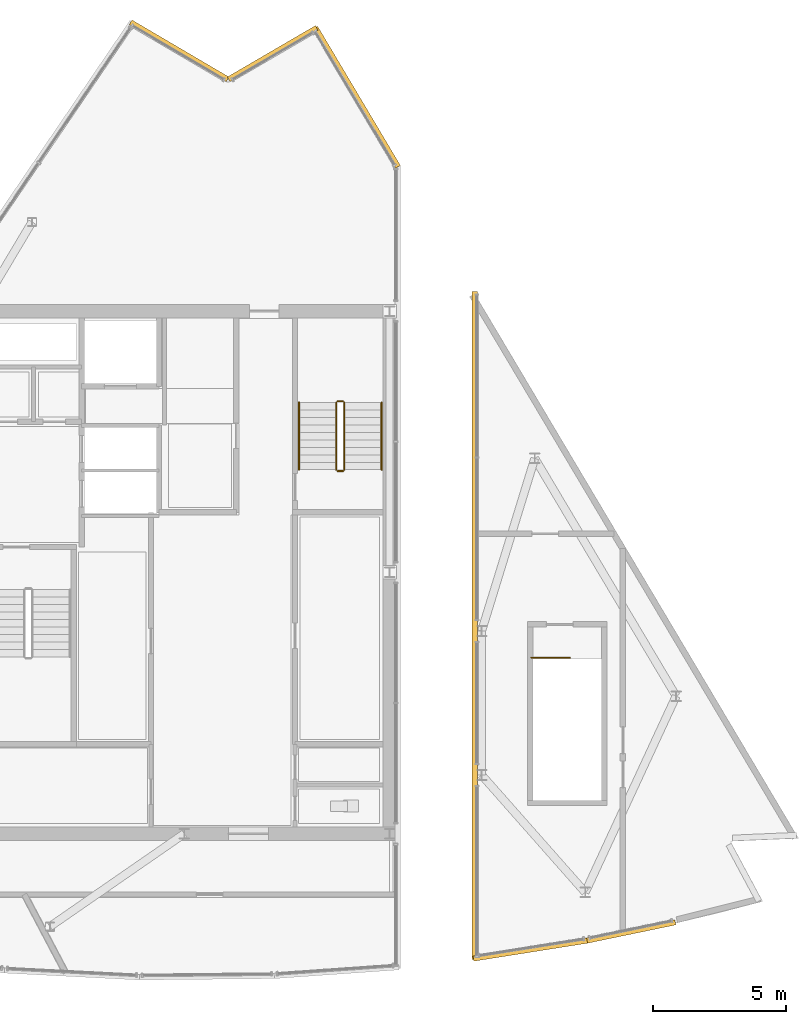
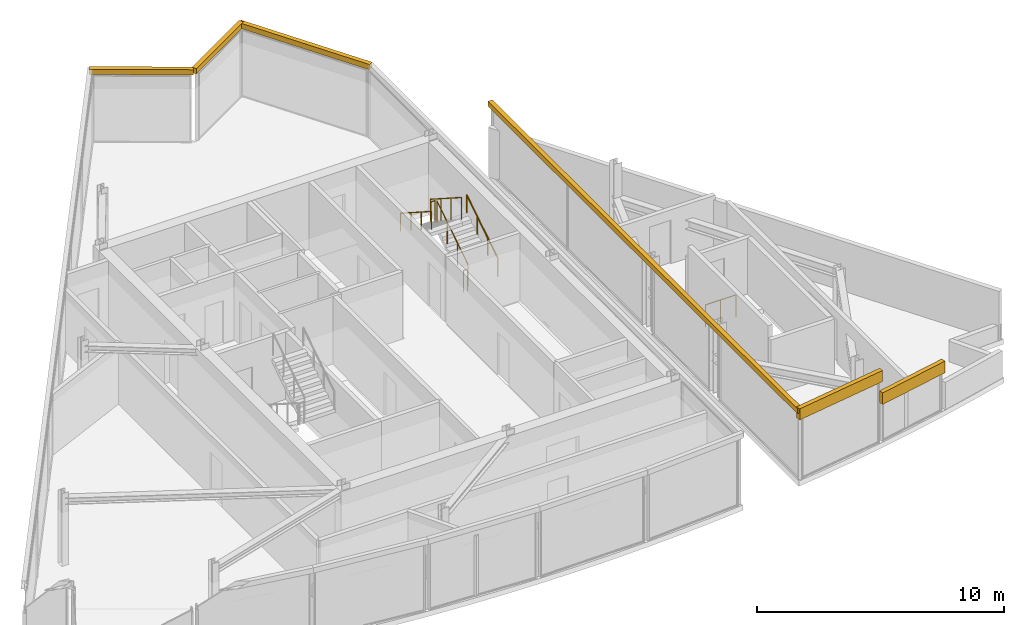
# One storey, part 12 of 13: 7 railings, 6 coverings.
"""IFC4 building model written with IfcOpenShell, lengths in metres."""

from ifc_helpers import new_model, si_unit, direction, frame, origin, origin_2d, place, context, subcontext, project, spatial, polyline, circle, outline, extrude, material, layer, layer_set, type_object, element, save


model = new_model("IFC4")

# Units and contexts
model_context = context("Model", 3, precision=1e-05, world=origin(), true_north=direction((0.0, 1.0)))
body_context = subcontext(model_context, "Body", "Model", "MODEL_VIEW")
ifc_project = project(units=[si_unit("LENGTHUNIT", "METRE"), si_unit("AREAUNIT", "SQUARE_METRE"), si_unit("VOLUMEUNIT", "CUBIC_METRE"), si_unit("PLANEANGLEUNIT", "RADIAN"), si_unit("MASSUNIT", "GRAM", prefix="KILO")], contexts=[model_context])

# Site, building, storey
site_placement = place(None, origin())
site = spatial("IfcSite", under=ifc_project, at=site_placement, CompositionType="ELEMENT")
building_placement = place(site_placement, origin())
building = spatial("IfcBuilding", under=site, at=building_placement, Name="Savorim Split Tower", CompositionType="ELEMENT")
storey_placement = place(building_placement, frame((0.0, 0.0, 312.0)))
storey = spatial("IfcBuildingStorey", under=building, at=storey_placement, Name="Crown L83 Plant", CompositionType="ELEMENT", Elevation=312.0)

# Coverings
ifc_material_1 = material(Name="Terracotta Ceramic-Coated Aluminium Fin", Category="masonry")
ifc_layer = layer(ifc_material_1, 0.050048828125)
ifc_layer_set = layer_set([ifc_layer], Name="COV-CLAD-TERRA")
covering_type = type_object("IfcCoveringType", Name="COV-CLAD-TERRA", PredefinedType="CLADDING", material=ifc_layer_set)
covering_1_placement = place(storey_placement, frame((0.0, 0.0, 3.340087890625)))
element("IfcCovering", 1, at=covering_1_placement, inside=storey, type_object=covering_type, Name="Crown L83 Plant Sloped Crest Eave Spandrel W2", PredefinedType="CLADDING", context=body_context, shape_type="SweptSolid", body=[
    extrude(outline(polyline([(8.1015625, 15.66552734375), (4.99755859375, 20.885498046875), (4.82568359375, 20.783203125), (7.9296875, 15.563232421875), (8.1015625, 15.66552734375)])), origin(), (0.0, 0.0, 1.0), 0.260009765625),
])
covering_2_placement = place(storey_placement, frame((0.0, 0.0, 3.340087890625)))
element("IfcCovering", 2, at=covering_2_placement, inside=storey, type_object=covering_type, Name="Crown L83 Plant Sloped Crest Eave Spandrel W3", PredefinedType="CLADDING", context=body_context, shape_type="SweptSolid", body=[
    extrude(outline(polyline([(4.915771484375, 20.90673828125), (1.6123046875, 18.9814453125), (1.713134765625, 18.80859375), (5.0166015625, 20.73388671875), (4.915771484375, 20.90673828125)])), origin(), (0.0, 0.0, 1.0), 0.260009765625),
])
covering_3_placement = place(storey_placement, frame((0.0, 0.0, 3.340087890625)))
element("IfcCovering", 3, at=covering_3_placement, inside=storey, type_object=covering_type, Name="Crown L83 Plant Sloped Crest Eave Spandrel W4", PredefinedType="CLADDING", context=body_context, shape_type="SweptSolid", body=[
    extrude(outline(polyline([(1.673095703125, 18.981201171875), (-1.96240234375, 21.117919921875), (-2.063720703125, 20.945556640625), (1.57177734375, 18.808837890625), (1.673095703125, 18.981201171875)])), origin(), (0.0, 0.0, 1.0), 0.260009765625),
])
covering_4_placement = place(storey_placement, frame((0.0, 0.0, 3.340087890625)))
element("IfcCovering", 4, at=covering_4_placement, inside=storey, type_object=covering_type, Name="Crown L83 Plant Sloped Crest Eave Spandrel E1", PredefinedType="CLADDING", context=body_context, shape_type="SweptSolid", body=[
    extrude(outline(polyline([(10.7900390625, 10.92578125), (10.7900390625, -14.125), (10.989990234375, -14.125), (10.989990234375, 10.92578125), (10.7900390625, 10.92578125)])), origin(), (0.0, 0.0, 1.0), 0.260009765625),
])
covering_5_placement = place(storey_placement, frame((0.0, 0.0, 3.052490234375)))
element("IfcCovering", 5, at=covering_5_placement, inside=storey, type_object=covering_type, Name="Crown L83 Plant Sloped Crest Eave Spandrel E2", PredefinedType="CLADDING", context=body_context, shape_type="SweptSolid", body=[
    extrude(outline(polyline([(10.859375, -14.184326171875), (15.123779296875, -13.509033203125), (15.09228515625, -13.3115234375), (10.828125, -13.98681640625), (10.859375, -14.184326171875)])), origin(), (0.0, 0.0, 1.0), 0.547607421875),
])
covering_6_placement = place(storey_placement, frame((0.0, 0.0, 1.913330078125)))
element("IfcCovering", 6, at=covering_6_placement, inside=storey, type_object=covering_type, Name="Crown L83 Plant Sloped Crest Eave Spandrel E3", PredefinedType="CLADDING", context=body_context, shape_type="SweptSolid", body=[
    extrude(outline(polyline([(15.12646484375, -13.508544921875), (18.43359375, -12.822265625), (18.39306640625, -12.62646484375), (15.0859375, -13.312744140625), (15.12646484375, -13.508544921875)])), origin(), (0.0, 0.0, 1.0), 0.573486328125),
])

# Railings
ifc_material_2 = material(Name="Galvanised Painted Steel Balustrade", Category="steel")
railing_type_1 = type_object("IfcRailingType", Name="RLG-HR-900", PredefinedType="HANDRAIL", material=ifc_material_2)
railing_1_placement = place(storey_placement, frame((7.39990234375, 4.25, 0.179931640625)))
element("IfcRailing", 7, at=railing_1_placement, inside=storey, type_object=railing_type_1, Name="Crown L83 Plant ST-2 stair handrail 1", PredefinedType="HANDRAIL", context=body_context, shape_type="SweptSolid", body=[
    extrude(circle(Radius=0.02392578125, at=origin_2d()), frame((0.0, 0.0, 0.8759765625), z_axis=(0.0, 0.841162588446, 0.540782303519), x_axis=(-1.0, 0.0, 0.0)), (0.0, 0.0, 1.0), 2.995849609375),
    extrude(circle(Radius=0.02099609375, at=origin_2d()), origin(), (0.0, 0.0, 1.0), 0.851806640625),
    extrude(circle(Radius=0.02099609375, at=origin_2d()), frame((0.0, 0.840087890625, 0.5400390625)), (0.0, 0.0, 1.0), 0.851806640625),
    extrude(circle(Radius=0.02099609375, at=origin_2d()), frame((0.0, 1.679931640625, 1.080078125)), (0.0, 0.0, 1.0), 0.851806640625),
    extrude(circle(Radius=0.02099609375, at=origin_2d()), frame((0.0, 2.52001953125, 1.6201171875)), (0.0, 0.0, 1.0), 0.851806640625),
])
railing_2_placement = place(storey_placement, frame((4.300048828125, 6.77001953125, 1.97998046875)))
element("IfcRailing", 8, at=railing_2_placement, inside=storey, type_object=railing_type_1, Name="Crown L83 Plant ST-2 stair handrail 2", PredefinedType="HANDRAIL", context=body_context, shape_type="SweptSolid", body=[
    extrude(circle(Radius=0.02392578125, at=origin_2d()), frame((0.0, 0.0, 0.8759765625), z_axis=(0.0, -0.841162588446, 0.540782303519), x_axis=(1.0, 0.0, 0.0)), (0.0, 0.0, 1.0), 2.995849609375),
    extrude(circle(Radius=0.02099609375, at=origin_2d()), origin(), (0.0, 0.0, 1.0), 0.851806640625),
    extrude(circle(Radius=0.02099609375, at=origin_2d()), frame((0.0, -0.840087890625, 0.5400390625)), (0.0, 0.0, 1.0), 0.851806640625),
    extrude(circle(Radius=0.02099609375, at=origin_2d()), frame((0.0, -1.679931640625, 1.080078125)), (0.0, 0.0, 1.0), 0.851806640625),
    extrude(circle(Radius=0.02099609375, at=origin_2d()), frame((0.0, -2.52001953125, 1.6201171875)), (0.0, 0.0, 1.0), 0.851806640625),
])
railing_type_2 = type_object("IfcRailingType", Name="RLG-STG-1100", PredefinedType="BALUSTRADE", material=ifc_material_2)
railing_3_placement = place(storey_placement, frame((6.0, 4.25, 0.179931640625)))
element("IfcRailing", 9, at=railing_3_placement, inside=storey, type_object=railing_type_2, Name="Crown L83 Plant ST-2 stair guard 1", PredefinedType="BALUSTRADE", context=body_context, shape_type="SweptSolid", body=[
    extrude(circle(Radius=0.02392578125, at=origin_2d()), frame((0.0, 0.0, 1.076171875), z_axis=(0.0, 0.841162588446, 0.540782303519), x_axis=(-1.0, 0.0, 0.0)), (0.0, 0.0, 1.0), 2.995849609375),
    extrude(circle(Radius=0.02099609375, at=origin_2d()), origin(), (0.0, 0.0, 1.0), 1.052001953125),
    extrude(circle(Radius=0.02099609375, at=origin_2d()), frame((0.0, 0.840087890625, 0.5400390625)), (0.0, 0.0, 1.0), 1.052001953125),
    extrude(circle(Radius=0.02099609375, at=origin_2d()), frame((0.0, 1.679931640625, 1.080078125)), (0.0, 0.0, 1.0), 1.052001953125),
    extrude(circle(Radius=0.02099609375, at=origin_2d()), frame((0.0, 2.52001953125, 1.6201171875)), (0.0, 0.0, 1.0), 1.052001953125),
])
railing_4_placement = place(storey_placement, frame((5.949951171875, 6.820068359375, 1.800048828125)))
element("IfcRailing", 10, at=railing_4_placement, inside=storey, type_object=railing_type_2, Name="Crown L83 Plant ST-2 stair guard 2", PredefinedType="BALUSTRADE", context=body_context, shape_type="SweptSolid", body=[
    extrude(circle(Radius=0.02392578125, at=origin_2d()), frame((0.0, 0.0, 1.076171875), z_axis=(-1.0, 0.0, 0.0), x_axis=(0.0, -1.0, 0.0)), (0.0, 0.0, 1.0), 0.199951171875),
    extrude(circle(Radius=0.02099609375, at=origin_2d()), origin(), (0.0, 0.0, 1.0), 1.052001953125),
    extrude(circle(Radius=0.02099609375, at=origin_2d()), frame((-0.199951171875, 0.0, 0.0)), (0.0, 0.0, 1.0), 1.052001953125),
])
railing_5_placement = place(storey_placement, frame((5.699951171875, 6.77001953125, 1.97998046875)))
element("IfcRailing", 11, at=railing_5_placement, inside=storey, type_object=railing_type_2, Name="Crown L83 Plant ST-2 stair guard 3", PredefinedType="BALUSTRADE", context=body_context, shape_type="SweptSolid", body=[
    extrude(circle(Radius=0.02392578125, at=origin_2d()), frame((0.0, 0.0, 1.076171875), z_axis=(0.0, -0.841162588446, 0.540782303519), x_axis=(1.0, 0.0, 0.0)), (0.0, 0.0, 1.0), 2.995849609375),
    extrude(circle(Radius=0.02099609375, at=origin_2d()), origin(), (0.0, 0.0, 1.0), 1.052001953125),
    extrude(circle(Radius=0.02099609375, at=origin_2d()), frame((0.0, -0.840087890625, 0.5400390625)), (0.0, 0.0, 1.0), 1.052001953125),
    extrude(circle(Radius=0.02099609375, at=origin_2d()), frame((0.0, -1.679931640625, 1.080078125)), (0.0, 0.0, 1.0), 1.052001953125),
    extrude(circle(Radius=0.02099609375, at=origin_2d()), frame((0.0, -2.52001953125, 1.6201171875)), (0.0, 0.0, 1.0), 1.052001953125),
])
railing_6_placement = place(storey_placement, frame((5.949951171875, 4.199951171875, 0.0)))
element("IfcRailing", 12, at=railing_6_placement, inside=storey, type_object=railing_type_2, Name="Crown L83 Plant ST-2 stair guard 4", PredefinedType="BALUSTRADE", context=body_context, shape_type="SweptSolid", body=[
    extrude(circle(Radius=0.02392578125, at=origin_2d()), frame((0.0, 0.0, 1.076171875), z_axis=(-1.0, 0.0, 0.0), x_axis=(0.0, -1.0, 0.0)), (0.0, 0.0, 1.0), 0.199951171875),
    extrude(circle(Radius=0.02099609375, at=origin_2d()), origin(), (0.0, 0.0, 1.0), 1.052001953125),
    extrude(circle(Radius=0.02099609375, at=origin_2d()), frame((-0.199951171875, 0.0, 0.0)), (0.0, 0.0, 1.0), 1.052001953125),
])
railing_7_placement = place(storey_placement, frame((13.02001953125, -2.800048828125, 0.0)))
element("IfcRailing", 13, at=railing_7_placement, inside=storey, type_object=railing_type_2, Name="Crown L83 Plant ST-CRN-E top well guard 1", PredefinedType="BALUSTRADE", context=body_context, shape_type="SweptSolid", body=[
    extrude(circle(Radius=0.02392578125, at=origin_2d()), frame((0.0, 0.0, 1.076171875), z_axis=(1.0, 0.0, 0.0), x_axis=(0.0, 1.0, 0.0)), (0.0, 0.0, 1.0), 1.429931640625),
    extrude(circle(Radius=0.02099609375, at=origin_2d()), origin(), (0.0, 0.0, 1.0), 1.052001953125),
    extrude(circle(Radius=0.02099609375, at=origin_2d()), frame((0.71484375, 0.0, 0.0)), (0.0, 0.0, 1.0), 1.052001953125),
    extrude(circle(Radius=0.02099609375, at=origin_2d()), frame((1.429931640625, 0.0, 0.0)), (0.0, 0.0, 1.0), 1.052001953125),
])

save(model, "model.ifc")
